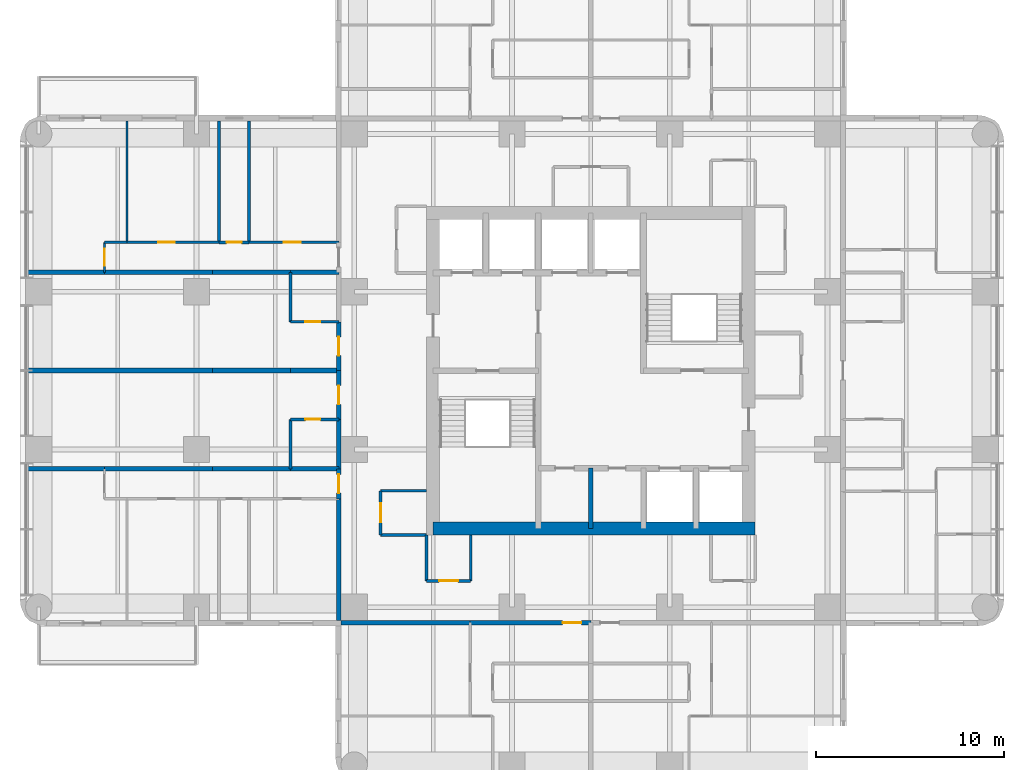
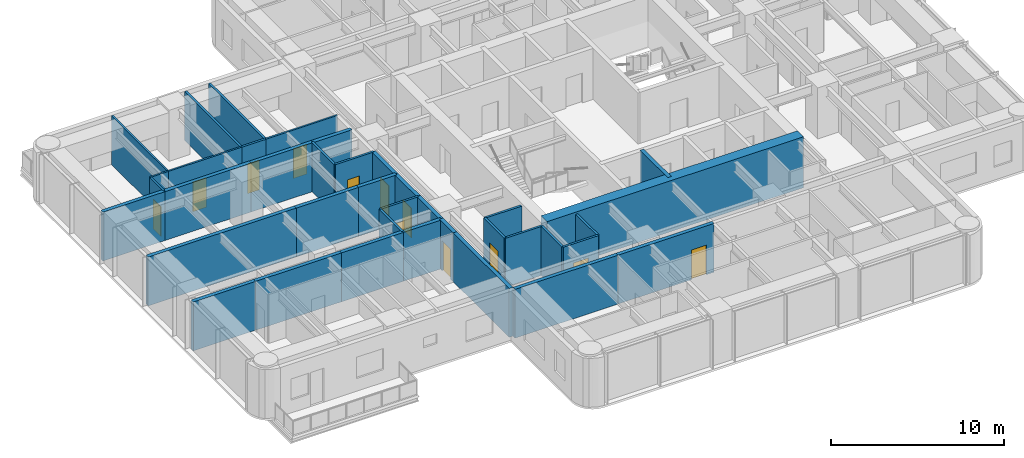
# One storey, part 5 of 11: 38 walls, 12 doors, 12 openings.
"""IFC4 building model written with IfcOpenShell, lengths in metres."""

from ifc_helpers import new_model, si_unit, direction, frame, frame_2d, origin, place, context, subcontext, project, spatial, rectangle, extrude, material, layer, layer_set, type_object, element, fill, save


model = new_model("IFC4")

# Units and contexts
model_context = context("Model", 3, precision=1e-05, world=origin(), true_north=direction((0.0, 1.0)))
body_context = subcontext(model_context, "Body", "Model", "MODEL_VIEW")
ifc_project = project(units=[si_unit("LENGTHUNIT", "METRE"), si_unit("AREAUNIT", "SQUARE_METRE"), si_unit("VOLUMEUNIT", "CUBIC_METRE"), si_unit("PLANEANGLEUNIT", "RADIAN"), si_unit("MASSUNIT", "GRAM", prefix="KILO")], contexts=[model_context])

# Site, building, storey
site_placement = place(None, origin())
site = spatial("IfcSite", under=ifc_project, at=site_placement, CompositionType="ELEMENT")
building_placement = place(site_placement, origin())
building = spatial("IfcBuilding", under=site, at=building_placement, Name="Torre Alcanfor", CompositionType="ELEMENT")
storey_placement = place(building_placement, frame((0.0, 0.0, 212.10009765625)))
storey = spatial("IfcBuildingStorey", under=building, at=storey_placement, Name="L55", CompositionType="ELEMENT", Elevation=212.10009765625)

# Wall, opening, door
ifc_material_1 = material(Name="Concrete block masonry, hollow blocks NMX-C-404 9 MPa", Category="masonry")
ifc_layer_1 = layer(ifc_material_1, 0.25)
ifc_layer_set_1 = layer_set([ifc_layer_1], Name="Apartment entrance wall 250 EI 60")
wall_type_1 = type_object("IfcWallType", Name="Apartment entrance wall 250 EI 60", PredefinedType="PARTITIONING", material=ifc_layer_set_1)
wall_1_placement = place(storey_placement, frame((29.39990234375, 15.97509765625, 0.0), z_axis=(0.0, 0.0, 1.0), x_axis=(-1.0, 0.0, 0.0)))
wall_1 = element("IfcWall", 1, at=wall_1_placement, inside=storey, type_object=wall_type_1, Name="Partition L55-CORR / L55-S2-LIVING", PredefinedType="PARTITIONING", context=body_context, shape_type="SweptSolid", body=[
    extrude(rectangle(XDim=6.428955078125, YDim=0.25, at=frame_2d((3.21435546875, 0.0))), origin(), (0.0, 0.0, 1.0), 3.449951171875),
])
opening_1_placement = place(wall_1_placement, frame((0.5, 0.0, 0.0)))
opening_1 = element("IfcOpeningElement", 2, at=opening_1_placement, cuts=wall_1, Name="Opening D-A1", PredefinedType="OPENING", context=body_context, shape_type="SweptSolid", body=[
    extrude(rectangle(XDim=1.0, YDim=2.10009765625, at=frame_2d((0.5, 1.050048828125))), frame((0.0, 0.135009765625, 0.0), z_axis=(0.0, -1.0, 0.0), x_axis=(1.0, 0.0, 0.0)), (0.0, 0.0, 1.0), 0.27001953125),
])
ifc_material_2 = material(Name="Galvanised steel sheet ASTM A653", Category="steel")
door_type_1 = type_object("IfcDoorType", Name="Apartment entrance door FD60 1000x2100", OperationType="SINGLE_SWING_LEFT", PredefinedType="DOOR", material=ifc_material_2)
door_1_placement = place(opening_1_placement, origin())
door_1 = element("IfcDoor", 3, at=door_1_placement, inside=storey, type_object=door_type_1, Name="Apartment entrance L55-S2", OperationType="SINGLE_SWING_LEFT", OverallHeight=2.10009765625, OverallWidth=1.0, PredefinedType="DOOR", context=body_context, shape_type="SweptSolid", body=[
    extrude(rectangle(XDim=1.0, YDim=2.10009765625, at=frame_2d((0.5, 1.050048828125))), frame((0.0, 0.02490234375, 0.0), z_axis=(0.0, -1.0, 0.0), x_axis=(1.0, 0.0, 0.0)), (0.0, 0.0, 1.0), 0.050048828125),
])
fill(opening_1, door_1)

# Wall
wall_2_placement = place(storey_placement, frame((22.970947265625, 15.97509765625, 0.0), z_axis=(0.0, 0.0, 1.0), x_axis=(-1.0, 0.0, 0.0)))
element("IfcWall", 4, at=wall_2_placement, inside=storey, type_object=wall_type_1, Name="Partition L55-CORR / L55-S2-BED2", PredefinedType="PARTITIONING", context=body_context, shape_type="SweptSolid", body=[
    extrude(rectangle(XDim=6.870849609375, YDim=0.25, at=frame_2d((3.435546875, 0.0))), origin(), (0.0, 0.0, 1.0), 3.449951171875),
])

# Wall, opening, door
wall_3_placement = place(storey_placement, frame((15.97509765625, 26.800048828125, 0.0), z_axis=(0.0, 0.0, 1.0), x_axis=(0.0, 1.0, 0.0)))
wall_3 = element("IfcWall", 5, at=wall_3_placement, inside=storey, type_object=wall_type_1, Name="Partition L55-CORR / L55-W1A-FOYER", PredefinedType="PARTITIONING", context=body_context, shape_type="SweptSolid", body=[
    extrude(rectangle(XDim=2.599853515625, YDim=0.25, at=frame_2d((1.2998046875, 0.0))), origin(), (0.0, 0.0, 1.0), 3.449951171875),
])
opening_2_placement = place(wall_3_placement, frame((0.800048828125, 0.0, 0.0)))
opening_2 = element("IfcOpeningElement", 6, at=opening_2_placement, cuts=wall_3, Name="Opening D-A1", PredefinedType="OPENING", context=body_context, shape_type="SweptSolid", body=[
    extrude(rectangle(XDim=1.0, YDim=2.10009765625, at=frame_2d((0.5, 1.050048828125))), frame((0.0, 0.135009765625, 0.0), z_axis=(0.0, -1.0, 0.0), x_axis=(1.0, 0.0, 0.0)), (0.0, 0.0, 1.0), 0.27001953125),
])
door_2_placement = place(opening_2_placement, origin())
door_2 = element("IfcDoor", 7, at=door_2_placement, inside=storey, type_object=door_type_1, Name="Apartment entrance L55-W1A", OperationType="SINGLE_SWING_LEFT", OverallHeight=2.10009765625, OverallWidth=1.0, PredefinedType="DOOR", context=body_context, shape_type="SweptSolid", body=[
    extrude(rectangle(XDim=1.0, YDim=2.10009765625, at=frame_2d((0.5, 1.050048828125))), frame((0.0, 0.02490234375, 0.0), z_axis=(0.0, -1.0, 0.0), x_axis=(1.0, 0.0, 0.0)), (0.0, 0.0, 1.0), 0.050048828125),
])
fill(opening_2, door_2)

# Wall
wall_4_placement = place(storey_placement, frame((15.97509765625, 24.1708984375, 0.0), z_axis=(0.0, 0.0, 1.0), x_axis=(0.0, 1.0, 0.0)))
element("IfcWall", 8, at=wall_4_placement, inside=storey, type_object=wall_type_1, Name="Partition L55-CORR / L55-W1A-BATH", PredefinedType="PARTITIONING", context=body_context, shape_type="SweptSolid", body=[
    extrude(rectangle(XDim=2.629150390625, YDim=0.25, at=frame_2d((1.314453125, 0.0))), origin(), (0.0, 0.0, 1.0), 3.449951171875),
])

# Wall, opening, door
wall_5_placement = place(storey_placement, frame((15.97509765625, 22.571044921875, 0.0), z_axis=(0.0, 0.0, 1.0), x_axis=(0.0, 1.0, 0.0)))
wall_5 = element("IfcWall", 9, at=wall_5_placement, inside=storey, type_object=wall_type_1, Name="Partition L55-CORR / L55-W1B-HALL", PredefinedType="PARTITIONING", context=body_context, shape_type="SweptSolid", body=[
    extrude(rectangle(XDim=1.599853515625, YDim=0.25, at=frame_2d((0.7998046875, 0.0))), origin(), (0.0, 0.0, 1.0), 3.449951171875),
])
opening_3_placement = place(wall_5_placement, frame((0.300048828125, 0.0, 0.0)))
opening_3 = element("IfcOpeningElement", 10, at=opening_3_placement, cuts=wall_5, Name="Opening D-A1", PredefinedType="OPENING", context=body_context, shape_type="SweptSolid", body=[
    extrude(rectangle(XDim=1.0, YDim=2.10009765625, at=frame_2d((0.5, 1.050048828125))), frame((0.0, 0.135009765625, 0.0), z_axis=(0.0, -1.0, 0.0), x_axis=(1.0, 0.0, 0.0)), (0.0, 0.0, 1.0), 0.27001953125),
])
door_3_placement = place(opening_3_placement, origin())
door_3 = element("IfcDoor", 11, at=door_3_placement, inside=storey, type_object=door_type_1, Name="Apartment entrance L55-W1B", OperationType="SINGLE_SWING_LEFT", OverallHeight=2.10009765625, OverallWidth=1.0, PredefinedType="DOOR", context=body_context, shape_type="SweptSolid", body=[
    extrude(rectangle(XDim=1.0, YDim=2.10009765625, at=frame_2d((0.5, 1.050048828125))), frame((0.0, 0.02490234375, 0.0), z_axis=(0.0, -1.0, 0.0), x_axis=(1.0, 0.0, 0.0)), (0.0, 0.0, 1.0), 0.050048828125),
])
fill(opening_3, door_3)

# Wall
wall_6_placement = place(storey_placement, frame((15.97509765625, 16.10009765625, 0.0), z_axis=(0.0, 0.0, 1.0), x_axis=(0.0, 1.0, 0.0)))
element("IfcWall", 12, at=wall_6_placement, inside=storey, type_object=wall_type_1, Name="Partition L55-CORR / L55-W1B-BED2", PredefinedType="PARTITIONING", context=body_context, shape_type="SweptSolid", body=[
    extrude(rectangle(XDim=6.470947265625, YDim=0.25, at=frame_2d((3.2353515625, 0.0))), origin(), (0.0, 0.0, 1.0), 3.449951171875),
])

# Wall, opening, door
wall_7_placement = place(storey_placement, frame((15.97509765625, 29.39990234375, 0.0), z_axis=(0.0, 0.0, 1.0), x_axis=(0.0, 1.0, 0.0)))
wall_7 = element("IfcWall", 13, at=wall_7_placement, inside=storey, type_object=wall_type_1, Name="Partition L55-CORR / L55-W2A-FOYER", PredefinedType="PARTITIONING", context=body_context, shape_type="SweptSolid", body=[
    extrude(rectangle(XDim=2.60009765625, YDim=0.25, at=frame_2d((1.300048828125, 0.0))), origin(), (0.0, 0.0, 1.0), 3.449951171875),
])
opening_4_placement = place(wall_7_placement, frame((0.800048828125, 0.0, 0.0)))
opening_4 = element("IfcOpeningElement", 14, at=opening_4_placement, cuts=wall_7, Name="Opening D-A1", PredefinedType="OPENING", context=body_context, shape_type="SweptSolid", body=[
    extrude(rectangle(XDim=1.0, YDim=2.10009765625, at=frame_2d((0.5, 1.050048828125))), frame((0.0, 0.135009765625, 0.0), z_axis=(0.0, -1.0, 0.0), x_axis=(1.0, 0.0, 0.0)), (0.0, 0.0, 1.0), 0.27001953125),
])
door_4_placement = place(opening_4_placement, origin())
door_4 = element("IfcDoor", 15, at=door_4_placement, inside=storey, type_object=door_type_1, Name="Apartment entrance L55-W2A", OperationType="SINGLE_SWING_LEFT", OverallHeight=2.10009765625, OverallWidth=1.0, PredefinedType="DOOR", context=body_context, shape_type="SweptSolid", body=[
    extrude(rectangle(XDim=1.0, YDim=2.10009765625, at=frame_2d((0.5, 1.050048828125))), frame((0.0, 0.02490234375, 0.0), z_axis=(0.0, -1.0, 0.0), x_axis=(1.0, 0.0, 0.0)), (0.0, 0.0, 1.0), 0.050048828125),
])
fill(opening_4, door_4)

ifc_material_3 = material(Name="Gypsum board on steel studs", Category="steel")
ifc_layer_2 = layer(ifc_material_3, 0.1201171875)
ifc_layer_set_2 = layer_set([ifc_layer_2], Name="Apartment partition 120")
wall_type_2 = type_object("IfcWallType", Name="Apartment partition 120", PredefinedType="PARTITIONING", material=ifc_layer_set_2)
wall_8_placement = place(storey_placement, frame((11.199951171875, 36.22900390625, 0.0), z_axis=(0.0, 0.0, 1.0), x_axis=(1.0, 0.0, 0.0)))
wall_8 = element("IfcWall", 16, at=wall_8_placement, inside=storey, type_object=wall_type_2, Name="Partition L55-W2B-HALL / L55-W2B-BED2", PredefinedType="PARTITIONING", context=body_context, shape_type="SweptSolid", body=[
    extrude(rectangle(XDim=4.775146484375, YDim=0.1201171875, at=frame_2d((2.3876953125, 0.0))), origin(), (0.0, 0.0, 1.0), 3.449951171875),
])
opening_5_placement = place(wall_8_placement, frame((1.85009765625, 0.0, 0.0)))
opening_5 = element("IfcOpeningElement", 17, at=opening_5_placement, cuts=wall_8, Name="Opening D-R1", PredefinedType="OPENING", context=body_context, shape_type="SweptSolid", body=[
    extrude(rectangle(XDim=0.89990234375, YDim=2.10009765625, at=frame_2d((0.449951171875, 1.050048828125))), frame((0.0, 0.070068359375, 0.0), z_axis=(0.0, -1.0, 0.0), x_axis=(1.0, 0.0, 0.0)), (0.0, 0.0, 1.0), 0.14013671875),
])
ifc_material_4 = material(Name="Timber", Category="wood")
door_type_2 = type_object("IfcDoorType", Name="Internal door 900x2100", OperationType="SINGLE_SWING_LEFT", PredefinedType="DOOR", material=ifc_material_4)
door_5_placement = place(opening_5_placement, origin())
door_5 = element("IfcDoor", 18, at=door_5_placement, inside=storey, type_object=door_type_2, Name="Door L55-W2B bed2", OperationType="SINGLE_SWING_LEFT", OverallHeight=2.10009765625, OverallWidth=0.89990234375, PredefinedType="DOOR", context=body_context, shape_type="SweptSolid", body=[
    extrude(rectangle(XDim=0.89990234375, YDim=2.10009765625, at=frame_2d((0.449951171875, 1.050048828125))), frame((0.0, 0.02490234375, 0.0), z_axis=(0.0, -1.0, 0.0), x_axis=(1.0, 0.0, 0.0)), (0.0, 0.0, 1.0), 0.050048828125),
])
fill(opening_5, door_5)

wall_9_placement = place(storey_placement, frame((4.699951171875, 36.22900390625, 0.0), z_axis=(0.0, 0.0, 1.0), x_axis=(1.0, 0.0, 0.0)))
wall_9 = element("IfcWall", 19, at=wall_9_placement, inside=storey, type_object=wall_type_2, Name="Partition L55-W2B-HALL / L55-W2B-MASTER", PredefinedType="PARTITIONING", context=body_context, shape_type="SweptSolid", body=[
    extrude(rectangle(XDim=4.900146484375, YDim=0.1201171875, at=frame_2d((2.4501953125, 0.0))), origin(), (0.0, 0.0, 1.0), 3.449951171875),
])
opening_6_placement = place(wall_9_placement, frame((1.64990234375, 0.0, 0.0)))
opening_6 = element("IfcOpeningElement", 20, at=opening_6_placement, cuts=wall_9, Name="Opening D-R1", PredefinedType="OPENING", context=body_context, shape_type="SweptSolid", body=[
    extrude(rectangle(XDim=0.89990234375, YDim=2.10009765625, at=frame_2d((0.449951171875, 1.050048828125))), frame((0.0, 0.070068359375, 0.0), z_axis=(0.0, -1.0, 0.0), x_axis=(1.0, 0.0, 0.0)), (0.0, 0.0, 1.0), 0.14013671875),
])
door_6_placement = place(opening_6_placement, origin())
door_6 = element("IfcDoor", 21, at=door_6_placement, inside=storey, type_object=door_type_2, Name="Door L55-W2B master", OperationType="SINGLE_SWING_LEFT", OverallHeight=2.10009765625, OverallWidth=0.89990234375, PredefinedType="DOOR", context=body_context, shape_type="SweptSolid", body=[
    extrude(rectangle(XDim=0.89990234375, YDim=2.10009765625, at=frame_2d((0.449951171875, 1.050048828125))), frame((0.0, 0.02490234375, 0.0), z_axis=(0.0, -1.0, 0.0), x_axis=(1.0, 0.0, 0.0)), (0.0, 0.0, 1.0), 0.050048828125),
])
fill(opening_6, door_6)

# Wall
wall_10_placement = place(storey_placement, frame((3.5, 36.22900390625, 0.0), z_axis=(0.0, 0.0, 1.0), x_axis=(1.0, 0.0, 0.0)))
element("IfcWall", 22, at=wall_10_placement, inside=storey, type_object=wall_type_2, Name="Partition L55-W2B-HALL / L55-W2B-KITCHEN", PredefinedType="PARTITIONING", context=body_context, shape_type="SweptSolid", body=[
    extrude(rectangle(XDim=1.199951171875, YDim=0.1201171875, at=frame_2d((0.60009765625, 0.0))), origin(), (0.0, 0.0, 1.0), 3.449951171875),
])

# Wall, opening, door
wall_11_placement = place(storey_placement, frame((3.5, 34.62890625, 0.0), z_axis=(0.0, 0.0, 1.0), x_axis=(0.0, 1.0, 0.0)))
wall_11 = element("IfcWall", 23, at=wall_11_placement, inside=storey, type_object=wall_type_2, Name="Partition L55-W2B-HALL / L55-W2B-LIVING", PredefinedType="PARTITIONING", context=body_context, shape_type="SweptSolid", body=[
    extrude(rectangle(XDim=1.60009765625, YDim=0.1201171875, at=frame_2d((0.800048828125, 0.0))), origin(), (0.0, 0.0, 1.0), 3.449951171875),
])
opening_7_placement = place(wall_11_placement, frame((0.35009765625, 0.0, 0.0)))
opening_7 = element("IfcOpeningElement", 24, at=opening_7_placement, cuts=wall_11, Name="Opening D-R1", PredefinedType="OPENING", context=body_context, shape_type="SweptSolid", body=[
    extrude(rectangle(XDim=0.89990234375, YDim=2.10009765625, at=frame_2d((0.449951171875, 1.050048828125))), frame((0.0, 0.070068359375, 0.0), z_axis=(0.0, -1.0, 0.0), x_axis=(1.0, 0.0, 0.0)), (0.0, 0.0, 1.0), 0.14013671875),
])
door_7_placement = place(opening_7_placement, origin())
door_7 = element("IfcDoor", 25, at=door_7_placement, inside=storey, type_object=door_type_2, Name="Door L55-W2B living", OperationType="SINGLE_SWING_LEFT", OverallHeight=2.10009765625, OverallWidth=0.89990234375, PredefinedType="DOOR", context=body_context, shape_type="SweptSolid", body=[
    extrude(rectangle(XDim=0.89990234375, YDim=2.10009765625, at=frame_2d((0.449951171875, 1.050048828125))), frame((0.0, 0.02490234375, 0.0), z_axis=(0.0, -1.0, 0.0), x_axis=(1.0, 0.0, 0.0)), (0.0, 0.0, 1.0), 0.050048828125),
])
fill(opening_7, door_7)

# Walls
wall_12_placement = place(storey_placement, frame((4.699951171875, 36.22900390625, 0.0), z_axis=(0.0, 0.0, 1.0), x_axis=(0.0, 1.0, 0.0)))
element("IfcWall", 26, at=wall_12_placement, inside=storey, type_object=wall_type_2, Name="Partition L55-W2B-MASTER / L55-W2B-KITCHEN", PredefinedType="PARTITIONING", context=body_context, shape_type="SweptSolid", body=[
    extrude(rectangle(XDim=6.470947265625, YDim=0.1201171875, at=frame_2d((3.2353515625, 0.0))), origin(), (0.0, 0.0, 1.0), 3.449951171875),
])
ifc_material_5 = material(Name="Concrete f'c 70 MPa", Category="concrete")
ifc_layer_3 = layer(ifc_material_5, 0.25)
ifc_layer_set_3 = layer_set([ifc_layer_3], Name="Core shaft wall 250 f'c70")
wall_type_3 = type_object("IfcWallType", Name="Core shaft wall 250 f'c70", PredefinedType="SHEAR", material=ifc_layer_set_3)
wall_13_placement = place(storey_placement, frame((29.39990234375, 21.0, 0.0), z_axis=(0.0, 0.0, 1.0), x_axis=(0.0, 1.0, 0.0)))
element("IfcWall", 27, at=wall_13_placement, inside=storey, type_object=wall_type_3, Name="Core wall X294S L55", PredefinedType="SHEAR", context=body_context, shape_type="SweptSolid", body=[
    extrude(rectangle(XDim=3.199951171875, YDim=0.25, at=frame_2d((1.60009765625, 0.0))), origin(), (0.0, 0.0, 1.0), 3.599853515625),
])
ifc_material_6 = material(Name="Concrete f'c 70 MPa", Category="concrete")
ifc_layer_4 = layer(ifc_material_6, 0.699951171875)
ifc_layer_set_4 = layer_set([ifc_layer_4], Name="Core wall 700 f'c70")
wall_type_4 = type_object("IfcWallType", Name="Core wall 700 f'c70", PredefinedType="SHEAR", material=ifc_layer_set_4)
wall_14_placement = place(storey_placement, frame((21.0, 21.0, 0.0), z_axis=(0.0, 0.0, 1.0), x_axis=(1.0, 0.0, 0.0)))
element("IfcWall", 28, at=wall_14_placement, inside=storey, type_object=wall_type_4, Name="Core wall OUT-S L55", PredefinedType="SHEAR", context=body_context, shape_type="SweptSolid", body=[
    extrude(rectangle(XDim=17.14990234375, YDim=0.699951171875, at=frame_2d((8.574951171875, 0.0))), origin(), (0.0, 0.0, 1.0), 3.599853515625),
])
ifc_material_7 = material(Name="Concrete block masonry, hollow blocks NMX-C-404 9 MPa", Category="masonry")
ifc_layer_5 = layer(ifc_material_7, 0.25)
ifc_layer_set_5 = layer_set([ifc_layer_5], Name="Party wall 250 EI 60")
wall_type_5 = type_object("IfcWallType", Name="Party wall 250 EI 60", PredefinedType="PARTITIONING", material=ifc_layer_set_5)
for number, where, z_axis, x_axis, name in (
    (29, (15.97509765625, 29.39990234375, 0.0), (0.0, 0.0, 1.0), (-1.0, 0.0, 0.0), "Partition L55-W1A-FOYER / L55-W2A-FOYER"),
    (30, (13.39990234375, 24.1708984375, 0.0), (0.0, 0.0, 1.0), (1.0, 0.0, 0.0), "Partition L55-W1A-BATH / L55-W1B-HALL"),
):
    element("IfcWall", number, at=place(storey_placement, frame(where, z_axis=z_axis, x_axis=x_axis)), inside=storey, type_object=wall_type_5, Name=name, PredefinedType="PARTITIONING", context=body_context, shape_type="SweptSolid", body=[
        extrude(rectangle(XDim=2.5751953125, YDim=0.25, at=frame_2d((1.28759765625, 0.0))), origin(), (0.0, 0.0, 1.0), 3.449951171875),
    ])
for number, where, z_axis, x_axis, name in (
    (31, (9.25, 24.1708984375, 0.0), (0.0, 0.0, 1.0), (1.0, 0.0, 0.0), "Partition L55-W1A-KITCHEN / L55-W1B-HALL"),
    (32, (13.39990234375, 29.39990234375, 0.0), (0.0, 0.0, 1.0), (-1.0, 0.0, 0.0), "Partition L55-W1A-KITCHEN / L55-W2A-KITCHEN"),
):
    element("IfcWall", number, at=place(storey_placement, frame(where, z_axis=z_axis, x_axis=x_axis)), inside=storey, type_object=wall_type_5, Name=name, PredefinedType="PARTITIONING", context=body_context, shape_type="SweptSolid", body=[
        extrude(rectangle(XDim=4.14990234375, YDim=0.25, at=frame_2d((2.074951171875, 0.0))), origin(), (0.0, 0.0, 1.0), 3.449951171875),
    ])
wall_15_placement = place(storey_placement, frame((3.5, 24.1708984375, 0.0), z_axis=(0.0, 0.0, 1.0), x_axis=(1.0, 0.0, 0.0)))
element("IfcWall", 33, at=wall_15_placement, inside=storey, type_object=wall_type_5, Name="Partition L55-W1A-STUDIO / L55-W1B-HALL", PredefinedType="PARTITIONING", context=body_context, shape_type="SweptSolid", body=[
    extrude(rectangle(XDim=5.75, YDim=0.25, at=frame_2d((2.875, 0.0))), origin(), (0.0, 0.0, 1.0), 3.449951171875),
])
wall_16_placement = place(storey_placement, frame((-0.64990234375, 24.1708984375, 0.0), z_axis=(0.0, 0.0, 1.0), x_axis=(1.0, 0.0, 0.0)))
element("IfcWall", 34, at=wall_16_placement, inside=storey, type_object=wall_type_5, Name="Partition L55-W1A-STUDIO / L55-W1B-LIVING", PredefinedType="PARTITIONING", context=body_context, shape_type="SweptSolid", body=[
    extrude(rectangle(XDim=4.14990234375, YDim=0.25, at=frame_2d((2.074951171875, 0.0))), origin(), (0.0, 0.0, 1.0), 3.449951171875),
])
wall_17_placement = place(storey_placement, frame((9.25, 29.39990234375, 0.0), z_axis=(0.0, 0.0, 1.0), x_axis=(-1.0, 0.0, 0.0)))
element("IfcWall", 35, at=wall_17_placement, inside=storey, type_object=wall_type_5, Name="Partition L55-W1A-STUDIO / L55-W2A-STUDIO", PredefinedType="PARTITIONING", context=body_context, shape_type="SweptSolid", body=[
    extrude(rectangle(XDim=9.89990234375, YDim=0.25, at=frame_2d((4.949951171875, 0.0))), origin(), (0.0, 0.0, 1.0), 3.449951171875),
])
wall_18_placement = place(storey_placement, frame((13.39990234375, 34.62890625, 0.0), z_axis=(0.0, 0.0, 1.0), x_axis=(1.0, 0.0, 0.0)))
element("IfcWall", 36, at=wall_18_placement, inside=storey, type_object=wall_type_5, Name="Partition L55-W2A-BATH / L55-W2B-HALL", PredefinedType="PARTITIONING", context=body_context, shape_type="SweptSolid", body=[
    extrude(rectangle(XDim=2.5751953125, YDim=0.25, at=frame_2d((1.28759765625, 0.0))), origin(), (0.0, 0.0, 1.0), 3.449951171875),
])
wall_19_placement = place(storey_placement, frame((9.25, 34.62890625, 0.0), z_axis=(0.0, 0.0, 1.0), x_axis=(1.0, 0.0, 0.0)))
element("IfcWall", 37, at=wall_19_placement, inside=storey, type_object=wall_type_5, Name="Partition L55-W2A-KITCHEN / L55-W2B-HALL", PredefinedType="PARTITIONING", context=body_context, shape_type="SweptSolid", body=[
    extrude(rectangle(XDim=4.14990234375, YDim=0.25, at=frame_2d((2.074951171875, 0.0))), origin(), (0.0, 0.0, 1.0), 3.449951171875),
])
wall_20_placement = place(storey_placement, frame((3.5, 34.62890625, 0.0), z_axis=(0.0, 0.0, 1.0), x_axis=(1.0, 0.0, 0.0)))
element("IfcWall", 38, at=wall_20_placement, inside=storey, type_object=wall_type_5, Name="Partition L55-W2A-STUDIO / L55-W2B-HALL", PredefinedType="PARTITIONING", context=body_context, shape_type="SweptSolid", body=[
    extrude(rectangle(XDim=5.75, YDim=0.25, at=frame_2d((2.875, 0.0))), origin(), (0.0, 0.0, 1.0), 3.449951171875),
])
wall_21_placement = place(storey_placement, frame((-0.64990234375, 34.62890625, 0.0), z_axis=(0.0, 0.0, 1.0), x_axis=(1.0, 0.0, 0.0)))
element("IfcWall", 39, at=wall_21_placement, inside=storey, type_object=wall_type_5, Name="Partition L55-W2A-STUDIO / L55-W2B-LIVING", PredefinedType="PARTITIONING", context=body_context, shape_type="SweptSolid", body=[
    extrude(rectangle(XDim=4.14990234375, YDim=0.25, at=frame_2d((2.074951171875, 0.0))), origin(), (0.0, 0.0, 1.0), 3.449951171875),
])
ifc_material_8 = material(Name="Concrete block masonry, hollow blocks NMX-C-404 9 MPa", Category="masonry")
ifc_layer_6 = layer(ifc_material_8, 0.14990234375)
ifc_layer_set_6 = layer_set([ifc_layer_6], Name="Residents' room partition 150")
wall_type_6 = type_object("IfcWallType", Name="Residents' room partition 150", PredefinedType="PARTITIONING", material=ifc_layer_set_6)
wall_22_placement = place(storey_placement, frame((20.64990234375, 20.64990234375, 0.0), z_axis=(0.0, 0.0, 1.0), x_axis=(0.0, -1.0, 0.0)))
element("IfcWall", 40, at=wall_22_placement, inside=storey, type_object=wall_type_6, Name="Partition L55-CORR / L55-G05", PredefinedType="PARTITIONING", context=body_context, shape_type="SweptSolid", body=[
    extrude(rectangle(XDim=2.449951171875, YDim=0.14990234375, at=frame_2d((1.22509765625, 0.0))), origin(), (0.0, 0.0, 1.0), 3.449951171875),
])

# Wall, opening, door
wall_23_placement = place(storey_placement, frame((20.64990234375, 18.199951171875, 0.0), z_axis=(0.0, 0.0, 1.0), x_axis=(1.0, 0.0, 0.0)))
wall_23 = element("IfcWall", 41, at=wall_23_placement, inside=storey, type_object=wall_type_6, Name="Partition L55-CORR / L55-G05", PredefinedType="PARTITIONING", context=body_context, shape_type="SweptSolid", body=[
    extrude(rectangle(XDim=2.35009765625, YDim=0.14990234375, at=frame_2d((1.175048828125, 0.0))), origin(), (0.0, 0.0, 1.0), 3.449951171875),
])
opening_8_placement = place(wall_23_placement, frame((0.675048828125, 0.0, 0.0)))
opening_8 = element("IfcOpeningElement", 42, at=opening_8_placement, cuts=wall_23, Name="Opening D-M1", PredefinedType="OPENING", context=body_context, shape_type="SweptSolid", body=[
    extrude(rectangle(XDim=1.0, YDim=2.10009765625, at=frame_2d((0.5, 1.050048828125))), frame((0.0, 0.0849609375, 0.0), z_axis=(0.0, -1.0, 0.0), x_axis=(1.0, 0.0, 0.0)), (0.0, 0.0, 1.0), 0.169921875),
])
ifc_material_9 = material(Name="Timber", Category="wood")
door_type_3 = type_object("IfcDoorType", Name="Residents' room door 1000x2100", OperationType="SINGLE_SWING_LEFT", PredefinedType="DOOR", material=ifc_material_9)
door_8_placement = place(opening_8_placement, origin())
door_8 = element("IfcDoor", 43, at=door_8_placement, inside=storey, type_object=door_type_3, Name="Door L55-G05 parcel room", OperationType="SINGLE_SWING_LEFT", OverallHeight=2.10009765625, OverallWidth=1.0, PredefinedType="DOOR", context=body_context, shape_type="SweptSolid", body=[
    extrude(rectangle(XDim=1.0, YDim=2.10009765625, at=frame_2d((0.5, 1.050048828125))), frame((0.0, 0.02490234375, 0.0), z_axis=(0.0, -1.0, 0.0), x_axis=(1.0, 0.0, 0.0)), (0.0, 0.0, 1.0), 0.050048828125),
])
fill(opening_8, door_8)

# Walls
for number, where, z_axis, x_axis, name in (
    (44, (23.0, 18.199951171875, 0.0), (0.0, 0.0, 1.0), (0.0, 1.0, 0.0), "Partition L55-CORR / L55-G05"),
    (45, (20.64990234375, 23.0, 0.0), (0.0, 0.0, 1.0), (-1.0, 0.0, 0.0), "Partition L55-CORR / L55-G07"),
):
    element("IfcWall", number, at=place(storey_placement, frame(where, z_axis=z_axis, x_axis=x_axis)), inside=storey, type_object=wall_type_6, Name=name, PredefinedType="PARTITIONING", context=body_context, shape_type="SweptSolid", body=[
        extrude(rectangle(XDim=2.449951171875, YDim=0.14990234375, at=frame_2d((1.22509765625, 0.0))), origin(), (0.0, 0.0, 1.0), 3.449951171875),
    ])

# Wall, opening, door
wall_24_placement = place(storey_placement, frame((18.199951171875, 23.0, 0.0), z_axis=(0.0, 0.0, 1.0), x_axis=(0.0, -1.0, 0.0)))
wall_24 = element("IfcWall", 46, at=wall_24_placement, inside=storey, type_object=wall_type_6, Name="Partition L55-CORR / L55-G07", PredefinedType="PARTITIONING", context=body_context, shape_type="SweptSolid", body=[
    extrude(rectangle(XDim=2.35009765625, YDim=0.14990234375, at=frame_2d((1.175048828125, 0.0))), origin(), (0.0, 0.0, 1.0), 3.449951171875),
])
opening_9_placement = place(wall_24_placement, frame((0.675048828125, 0.0, 0.0)))
opening_9 = element("IfcOpeningElement", 47, at=opening_9_placement, cuts=wall_24, Name="Opening D-M1", PredefinedType="OPENING", context=body_context, shape_type="SweptSolid", body=[
    extrude(rectangle(XDim=1.0, YDim=2.10009765625, at=frame_2d((0.5, 1.050048828125))), frame((0.0, 0.0849609375, 0.0), z_axis=(0.0, -1.0, 0.0), x_axis=(1.0, 0.0, 0.0)), (0.0, 0.0, 1.0), 0.169921875),
])
door_9_placement = place(opening_9_placement, origin())
door_9 = element("IfcDoor", 48, at=door_9_placement, inside=storey, type_object=door_type_3, Name="Door L55-G07 cleaners' store", OperationType="SINGLE_SWING_LEFT", OverallHeight=2.10009765625, OverallWidth=1.0, PredefinedType="DOOR", context=body_context, shape_type="SweptSolid", body=[
    extrude(rectangle(XDim=1.0, YDim=2.10009765625, at=frame_2d((0.5, 1.050048828125))), frame((0.0, 0.02490234375, 0.0), z_axis=(0.0, -1.0, 0.0), x_axis=(1.0, 0.0, 0.0)), (0.0, 0.0, 1.0), 0.050048828125),
])
fill(opening_9, door_9)

# Wall
wall_25_placement = place(storey_placement, frame((18.199951171875, 20.64990234375, 0.0), z_axis=(0.0, 0.0, 1.0), x_axis=(1.0, 0.0, 0.0)))
element("IfcWall", 49, at=wall_25_placement, inside=storey, type_object=wall_type_6, Name="Partition L55-CORR / L55-G07", PredefinedType="PARTITIONING", context=body_context, shape_type="SweptSolid", body=[
    extrude(rectangle(XDim=2.449951171875, YDim=0.14990234375, at=frame_2d((1.22509765625, 0.0))), origin(), (0.0, 0.0, 1.0), 3.449951171875),
])

# Wall, opening, door
ifc_material_10 = material(Name="Cement board on steel studs", Category="steel")
ifc_layer_7 = layer(ifc_material_10, 0.14990234375)
ifc_layer_set_7 = layer_set([ifc_layer_7], Name="Wet area partition 150")
wall_type_7 = type_object("IfcWallType", Name="Wet area partition 150", PredefinedType="PARTITIONING", material=ifc_layer_set_7)
wall_26_placement = place(storey_placement, frame((13.39990234375, 26.800048828125, 0.0), z_axis=(0.0, 0.0, 1.0), x_axis=(1.0, 0.0, 0.0)))
wall_26 = element("IfcWall", 50, at=wall_26_placement, inside=storey, type_object=wall_type_7, Name="Partition L55-W1A-FOYER / L55-W1A-BATH", PredefinedType="PARTITIONING", context=body_context, shape_type="SweptSolid", body=[
    extrude(rectangle(XDim=2.5751953125, YDim=0.14990234375, at=frame_2d((1.28759765625, 0.0))), origin(), (0.0, 0.0, 1.0), 3.449951171875),
])
opening_10_placement = place(wall_26_placement, frame((0.800048828125, 0.0, 0.0)))
opening_10 = element("IfcOpeningElement", 51, at=opening_10_placement, cuts=wall_26, Name="Opening D-R2", PredefinedType="OPENING", context=body_context, shape_type="SweptSolid", body=[
    extrude(rectangle(XDim=0.800048828125, YDim=2.10009765625, at=frame_2d((0.39990234375, 1.050048828125))), frame((0.0, 0.0849609375, 0.0), z_axis=(0.0, -1.0, 0.0), x_axis=(1.0, 0.0, 0.0)), (0.0, 0.0, 1.0), 0.169921875),
])
ifc_material_11 = material(Name="Timber", Category="wood")
door_type_4 = type_object("IfcDoorType", Name="Bathroom door 800x2100", OperationType="SINGLE_SWING_LEFT", PredefinedType="DOOR", material=ifc_material_11)
door_10_placement = place(opening_10_placement, frame((0.800048828125, 0.0, 0.0), z_axis=(0.0, 0.0, 1.0), x_axis=(-1.0, 0.0, 0.0)))
door_10 = element("IfcDoor", 52, at=door_10_placement, inside=storey, type_object=door_type_4, Name="Door L55-W1A bath", OperationType="SINGLE_SWING_RIGHT", OverallHeight=2.10009765625, OverallWidth=0.800048828125, PredefinedType="DOOR", context=body_context, shape_type="SweptSolid", body=[
    extrude(rectangle(XDim=0.800048828125, YDim=2.10009765625, at=frame_2d((0.400146484375, 1.050048828125))), frame((0.0, 0.025146484375, 0.0), z_axis=(0.0, -1.0, 0.0), x_axis=(1.0, 0.0, 0.0)), (0.0, 0.0, 1.0), 0.050048828125),
])
fill(opening_10, door_10)

# Wall
wall_27_placement = place(storey_placement, frame((13.39990234375, 26.800048828125, 0.0), z_axis=(0.0, 0.0, 1.0), x_axis=(0.0, -1.0, 0.0)))
element("IfcWall", 53, at=wall_27_placement, inside=storey, type_object=wall_type_7, Name="Partition L55-W1A-BATH / L55-W1A-KITCHEN", PredefinedType="PARTITIONING", context=body_context, shape_type="SweptSolid", body=[
    extrude(rectangle(XDim=2.629150390625, YDim=0.14990234375, at=frame_2d((1.314453125, 0.0))), origin(), (0.0, 0.0, 1.0), 3.449951171875),
])

# Wall, opening, door
wall_28_placement = place(storey_placement, frame((13.39990234375, 32.0, 0.0), z_axis=(0.0, 0.0, 1.0), x_axis=(1.0, 0.0, 0.0)))
wall_28 = element("IfcWall", 54, at=wall_28_placement, inside=storey, type_object=wall_type_7, Name="Partition L55-W2A-FOYER / L55-W2A-BATH", PredefinedType="PARTITIONING", context=body_context, shape_type="SweptSolid", body=[
    extrude(rectangle(XDim=2.5751953125, YDim=0.14990234375, at=frame_2d((1.28759765625, 0.0))), origin(), (0.0, 0.0, 1.0), 3.449951171875),
])
opening_11_placement = place(wall_28_placement, frame((0.800048828125, 0.0, 0.0)))
opening_11 = element("IfcOpeningElement", 55, at=opening_11_placement, cuts=wall_28, Name="Opening D-R2", PredefinedType="OPENING", context=body_context, shape_type="SweptSolid", body=[
    extrude(rectangle(XDim=0.800048828125, YDim=2.10009765625, at=frame_2d((0.39990234375, 1.050048828125))), frame((0.0, 0.0849609375, 0.0), z_axis=(0.0, -1.0, 0.0), x_axis=(1.0, 0.0, 0.0)), (0.0, 0.0, 1.0), 0.169921875),
])
door_11_placement = place(opening_11_placement, origin())
door_11 = element("IfcDoor", 56, at=door_11_placement, inside=storey, type_object=door_type_4, Name="Door L55-W2A bath", OperationType="SINGLE_SWING_LEFT", OverallHeight=2.10009765625, OverallWidth=0.800048828125, PredefinedType="DOOR", context=body_context, shape_type="SweptSolid", body=[
    extrude(rectangle(XDim=0.800048828125, YDim=2.10009765625, at=frame_2d((0.39990234375, 1.050048828125))), frame((0.0, 0.02490234375, 0.0), z_axis=(0.0, -1.0, 0.0), x_axis=(1.0, 0.0, 0.0)), (0.0, 0.0, 1.0), 0.050048828125),
])
fill(opening_11, door_11)

# Wall
wall_29_placement = place(storey_placement, frame((13.39990234375, 32.0, 0.0), z_axis=(0.0, 0.0, 1.0), x_axis=(0.0, 1.0, 0.0)))
element("IfcWall", 57, at=wall_29_placement, inside=storey, type_object=wall_type_7, Name="Partition L55-W2A-BATH / L55-W2A-KITCHEN", PredefinedType="PARTITIONING", context=body_context, shape_type="SweptSolid", body=[
    extrude(rectangle(XDim=2.62890625, YDim=0.14990234375, at=frame_2d((1.314453125, 0.0))), origin(), (0.0, 0.0, 1.0), 3.449951171875),
])

# Wall, opening, door
wall_30_placement = place(storey_placement, frame((9.60009765625, 36.22900390625, 0.0), z_axis=(0.0, 0.0, 1.0), x_axis=(1.0, 0.0, 0.0)))
wall_30 = element("IfcWall", 58, at=wall_30_placement, inside=storey, type_object=wall_type_7, Name="Partition L55-W2B-HALL / L55-W2B-BATH", PredefinedType="PARTITIONING", context=body_context, shape_type="SweptSolid", body=[
    extrude(rectangle(XDim=1.599853515625, YDim=0.14990234375, at=frame_2d((0.7998046875, 0.0))), origin(), (0.0, 0.0, 1.0), 3.449951171875),
])
opening_12_placement = place(wall_30_placement, frame((0.39990234375, 0.0, 0.0)))
opening_12 = element("IfcOpeningElement", 59, at=opening_12_placement, cuts=wall_30, Name="Opening D-R2", PredefinedType="OPENING", context=body_context, shape_type="SweptSolid", body=[
    extrude(rectangle(XDim=0.800048828125, YDim=2.10009765625, at=frame_2d((0.39990234375, 1.050048828125))), frame((0.0, 0.0849609375, 0.0), z_axis=(0.0, -1.0, 0.0), x_axis=(1.0, 0.0, 0.0)), (0.0, 0.0, 1.0), 0.169921875),
])
door_12_placement = place(opening_12_placement, origin())
door_12 = element("IfcDoor", 60, at=door_12_placement, inside=storey, type_object=door_type_4, Name="Door L55-W2B bath", OperationType="SINGLE_SWING_LEFT", OverallHeight=2.10009765625, OverallWidth=0.800048828125, PredefinedType="DOOR", context=body_context, shape_type="SweptSolid", body=[
    extrude(rectangle(XDim=0.800048828125, YDim=2.10009765625, at=frame_2d((0.39990234375, 1.050048828125))), frame((0.0, 0.02490234375, 0.0), z_axis=(0.0, -1.0, 0.0), x_axis=(1.0, 0.0, 0.0)), (0.0, 0.0, 1.0), 0.050048828125),
])
fill(opening_12, door_12)

# Walls
for number, where, z_axis, x_axis, name in (
    (61, (11.199951171875, 36.22900390625, 0.0), (0.0, 0.0, 1.0), (0.0, 1.0, 0.0), "Partition L55-W2B-BED2 / L55-W2B-BATH"),
    (62, (9.60009765625, 36.22900390625, 0.0), (0.0, 0.0, 1.0), (0.0, 1.0, 0.0), "Partition L55-W2B-BATH / L55-W2B-MASTER"),
):
    element("IfcWall", number, at=place(storey_placement, frame(where, z_axis=z_axis, x_axis=x_axis)), inside=storey, type_object=wall_type_7, Name=name, PredefinedType="PARTITIONING", context=body_context, shape_type="SweptSolid", body=[
        extrude(rectangle(XDim=6.470947265625, YDim=0.14990234375, at=frame_2d((3.2353515625, 0.0))), origin(), (0.0, 0.0, 1.0), 3.449951171875),
    ])

save(model, "model.ifc")
